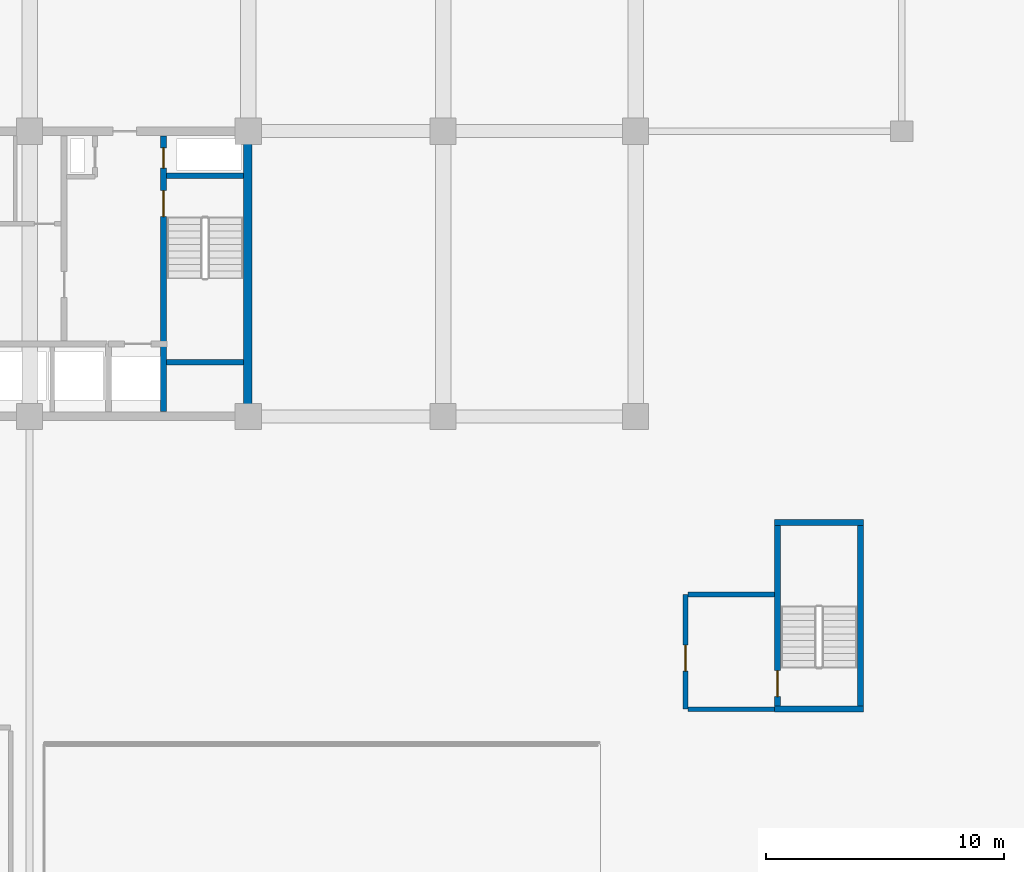
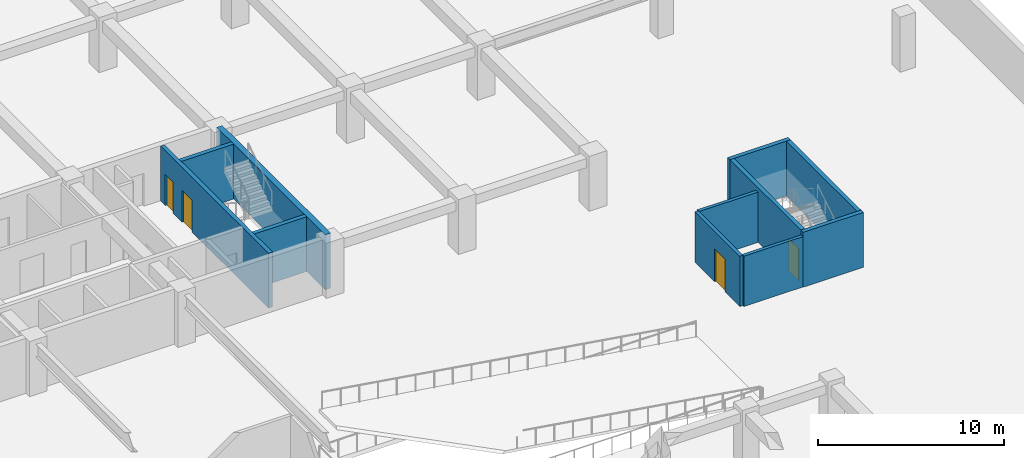
# One storey, part 11 of 22: 11 walls, 4 doors, 4 openings.
"""IFC4 building model written with IfcOpenShell, lengths in metres."""

import ifcopenshell
import ifcopenshell.guid

model = None  # the IFC model being written
_history = None  # IfcOwnerHistory: only IFC2X3 demands one
_inside = {}  # id of a spatial element -> (the spatial element, [elements in it])
_under = {}  # id of a project, library or spatial element -> (it, [spatial elements below it])
_declared = {}  # id of a project -> (the project, [libraries it declares])
_typed = {}  # id of a type object -> (the type object, [elements of that type])
_made_of = {}  # id of a material, layer set ... -> (it, [elements and type objects made of it])


def new_model(schema):
    """Start an empty IFC model of exactly this schema.

    Asked for "IFC4X3", IfcOpenShell would pick the latest addendum, in which some entities
    have other attributes; the version numbers below select the first issue.
    IFC2X3 requires an IfcOwnerHistory on every rooted entity: one is made here for all.
    """
    global model, _history
    if schema == "IFC4X3":
        model = ifcopenshell.file(schema_version=(4, 3, 0, 0))
    else:
        model = ifcopenshell.file(schema=schema)
    _inside.clear()
    _under.clear()
    _declared.clear()
    _typed.clear()
    _made_of.clear()
    _history = None
    if model.schema == "IFC2X3":
        org = make("IfcOrganization", Name="unknown")
        user = make(
            "IfcPersonAndOrganization",
            ThePerson=make("IfcPerson", FamilyName="unknown"),
            TheOrganization=org,
        )
        app = make(
            "IfcApplication",
            ApplicationDeveloper=org,
            Version="unknown",
            ApplicationFullName="unknown",
            ApplicationIdentifier="unknown",
        )
        _history = make(
            "IfcOwnerHistory",
            OwningUser=user,
            OwningApplication=app,
            ChangeAction="ADDED",
            CreationDate=0,
        )
    return model


def make(cls, **values):
    """One entity of the class cls with the attributes given. An attribute that is None is left unset."""
    return model.create_entity(
        cls, **{name: value for name, value in values.items() if value is not None}
    )


def rooted(cls, **values):
    """An entity with a GlobalId (a new one), such as an element, a storey or a relation."""
    return make(cls, GlobalId=ifcopenshell.guid.new(), OwnerHistory=_history, **values)


def si_unit(unit_type, name, prefix=None):
    """IfcSIUnit, for example si_unit("LENGTHUNIT", "METRE", prefix="MILLI")."""
    return make("IfcSIUnit", UnitType=unit_type, Prefix=prefix, Name=name)


def assignment(units):
    """IfcUnitAssignment: the units of a project."""
    return None if units is None else make("IfcUnitAssignment", Units=units)


def point(xyz):
    """IfcCartesianPoint."""
    return None if xyz is None else make("IfcCartesianPoint", Coordinates=xyz)


def direction(xyz):
    """IfcDirection."""
    return None if xyz is None else make("IfcDirection", DirectionRatios=xyz)


def frame(location, z_axis=None, x_axis=None):
    """IfcAxis2Placement3D, a coordinate frame: its origin and axes. An axis left out is left unset."""
    return make(
        "IfcAxis2Placement3D",
        Location=point(location),
        Axis=direction(z_axis),
        RefDirection=direction(x_axis),
    )


def frame_2d(location, x_axis=None):
    """IfcAxis2Placement2D, a coordinate frame in the plane: its origin and x axis."""
    return make(
        "IfcAxis2Placement2D", Location=point(location), RefDirection=direction(x_axis)
    )


def origin():
    """The frame at (0, 0, 0) with its axes left unset."""
    return frame((0.0, 0.0, 0.0))


def place(relative_to, where):
    """IfcLocalPlacement: puts the frame where relative to a parent placement (None: the world)."""
    return make(
        "IfcLocalPlacement", PlacementRelTo=relative_to, RelativePlacement=where
    )


def context(
    kind, dimensions, precision=None, world=None, true_north=None, identifier=None
):
    """IfcGeometricRepresentationContext, for example the 3D "Model" context."""
    return make(
        "IfcGeometricRepresentationContext",
        ContextIdentifier=identifier,
        ContextType=kind,
        CoordinateSpaceDimension=dimensions,
        Precision=precision,
        WorldCoordinateSystem=world,
        TrueNorth=true_north,
    )


def subcontext(parent, identifier, kind, view, scale=None):
    """IfcGeometricRepresentationSubContext, for example "Body" below "Model"."""
    return make(
        "IfcGeometricRepresentationSubContext",
        ContextIdentifier=identifier,
        ContextType=kind,
        ParentContext=parent,
        TargetScale=scale,
        TargetView=view,
    )


def project(units=None, contexts=None):
    """IfcProject with its units and contexts."""
    return rooted(
        "IfcProject",
        Name="project",
        RepresentationContexts=contexts,
        UnitsInContext=assignment(units),
    )


def spatial(cls, under=None, at=None, **own):
    """A site, building, storey or space (cls), placed at a placement, below another one or the project."""
    s = rooted(cls, ObjectPlacement=at, **own)
    if under is not None:
        _under.setdefault(under.id(), (under, []))[1].append(s)
    return s


def profile(cls, at=None, kind="AREA", **sizes):
    """A parametric profile (cls). Its sizes go by their IFC names, for example OverallWidth=200.0."""
    return make(cls, ProfileType=kind, Position=at, **sizes)


def rectangle(**sizes):
    """IfcRectangleProfileDef."""
    return profile("IfcRectangleProfileDef", **sizes)


def extrude(swept, where, along, depth):
    """IfcExtrudedAreaSolid: the profile swept, set in the frame where, extruded along a direction by depth."""
    return make(
        "IfcExtrudedAreaSolid",
        SweptArea=swept,
        Position=where,
        ExtrudedDirection=direction(along),
        Depth=depth,
    )


def shape(context_of_items, identifier, shape_type, items):
    """IfcShapeRepresentation: the items that make up one representation, for example the "Body"."""
    return make(
        "IfcShapeRepresentation",
        ContextOfItems=context_of_items,
        RepresentationIdentifier=identifier,
        RepresentationType=shape_type,
        Items=items,
    )


def material(Name=None, Category=None):
    """IfcMaterial."""
    return make("IfcMaterial", Name=Name, Category=Category)


def layer(
    of_material, thickness, ventilated=None, Name=None, Category=None, Priority=None
):
    """IfcMaterialLayer: one layer of a wall or slab, of a material (None: an air gap)."""
    return make(
        "IfcMaterialLayer",
        Material=of_material,
        LayerThickness=thickness,
        IsVentilated=ventilated,
        Name=Name,
        Category=Category,
        Priority=Priority,
    )


def layer_set(layers, Name=None):
    """IfcMaterialLayerSet."""
    return make("IfcMaterialLayerSet", MaterialLayers=layers, LayerSetName=Name)


def made_of(thing, what):
    """Note that an element or type object is made of a material, layer set ...; save() writes the relation."""
    if what is not None:
        _made_of.setdefault(what.id(), (what, []))[1].append(thing)
    return thing


def type_object(cls, material=None, **own):
    """A type object (cls), such as IfcWallType, which elements share."""
    return made_of(rooted(cls, **own), material)


def element(
    cls,
    number,
    at=None,
    inside=None,
    cuts=None,
    type_object=None,
    material=None,
    context=None,
    identifier="Body",
    shape_type=None,
    held_by="IfcProductDefinitionShape",
    body=None,
    shapes=None,
    **own,
):
    """One element of the class cls, such as IfcWall. Its Tag is "e" and its number.

    at: its placement. inside: the storey or other place that contains it. cuts: it is an
    opening in that element (IfcRelVoidsElement). A single representation is given by context,
    identifier, shape_type and body (its items); several are given by shapes. held_by: the class
    of the entity that holds the representations. save() writes the other relations.
    """
    e = rooted(cls, Tag="e%d" % number, ObjectPlacement=at, **own)
    if body is not None:
        shapes = [shape(context, identifier, shape_type, body)]
    if shapes is not None:
        e.Representation = make(held_by, Representations=shapes)
    if inside is not None:
        _inside.setdefault(inside.id(), (inside, []))[1].append(e)
    if cuts is not None:
        rooted(
            "IfcRelVoidsElement", RelatingBuildingElement=cuts, RelatedOpeningElement=e
        )
    if type_object is not None:
        _typed.setdefault(type_object.id(), (type_object, []))[1].append(e)
    return made_of(e, material)


def fill(opening, filler):
    """IfcRelFillsElement: the door or window that sits in an opening."""
    return rooted(
        "IfcRelFillsElement",
        RelatingOpeningElement=opening,
        RelatedBuildingElement=filler,
    )


def aggregate(whole, parts):
    """IfcRelAggregates: a whole, such as a stair, and the parts it consists of."""
    return rooted("IfcRelAggregates", RelatingObject=whole, RelatedObjects=parts)


def save(model, path):
    """Write the relations noted so far, then the file.

    IfcRelAggregates (storeys below a building ...), IfcRelContainedInSpatialStructure (elements
    in a storey), IfcRelDefinesByType, IfcRelAssociatesMaterial and IfcRelDeclares: one each for
    every whole, place, type object, material and project.
    """
    for whole, parts in _under.values():
        aggregate(whole, parts)
    for where, things in _inside.values():
        rooted(
            "IfcRelContainedInSpatialStructure",
            RelatedElements=things,
            RelatingStructure=where,
        )
    for kind, things in _typed.values():
        rooted("IfcRelDefinesByType", RelatedObjects=things, RelatingType=kind)
    for what, things in _made_of.values():
        rooted("IfcRelAssociatesMaterial", RelatedObjects=things, RelatingMaterial=what)
    for by, libraries in _declared.values():
        rooted("IfcRelDeclares", RelatingContext=by, RelatedDefinitions=libraries)
    model.write(path)


model = new_model("IFC4")

# Units and contexts
model_context = context("Model", 3, precision=1e-05, world=origin(), true_north=direction((0.0, 1.0)))
body_context = subcontext(model_context, "Body", "Model", "MODEL_VIEW")
ifc_project = project(units=[si_unit("LENGTHUNIT", "METRE"), si_unit("AREAUNIT", "SQUARE_METRE"), si_unit("VOLUMEUNIT", "CUBIC_METRE"), si_unit("PLANEANGLEUNIT", "RADIAN"), si_unit("MASSUNIT", "GRAM", prefix="KILO")], contexts=[model_context])

# Site, building, storey
site_placement = place(None, origin())
site = spatial("IfcSite", under=ifc_project, at=site_placement, CompositionType="ELEMENT")
building_placement = place(site_placement, origin())
building = spatial("IfcBuilding", under=site, at=building_placement, Name="Korimba Cascade Residences", CompositionType="ELEMENT")
storey_placement = place(building_placement, frame((0.0, 0.0, -7.199951171875)))
storey = spatial("IfcBuildingStorey", under=building, at=storey_placement, Name="B02", CompositionType="ELEMENT", Elevation=-7.199951171875)

# Wall
ifc_material_1 = material(Name="Concrete C65/80", Category="concrete")
ifc_layer_1 = layer(ifc_material_1, 0.35009765625)
ifc_layer_set_1 = layer_set([ifc_layer_1], Name="Concrete C65/80")
wall_type_1 = type_object("IfcWallType", Name="WAL-CORE-350", PredefinedType="SHEAR", material=ifc_layer_set_1)
wall_1_placement = place(storey_placement, frame((112.074951171875, 55.375, 0.0), z_axis=(0.0, 0.0, 1.0), x_axis=(0.0, 1.0, 0.0)))
element("IfcWall", 1, at=wall_1_placement, inside=storey, type_object=wall_type_1, Name="B02 Core Shear Wall CW-B02-T1-E", PredefinedType="SHEAR", context=body_context, shape_type="SweptSolid", body=[
    extrude(rectangle(XDim=11.64990234375, YDim=0.35009765625, at=frame_2d((5.824951171875, 0.0))), origin(), (0.0, 0.0, 1.0), 3.599853515625),
])

# Wall, opening, door
ifc_material_2 = material(Name="Concrete C40/50", Category="concrete")
ifc_layer_2 = layer(ifc_material_2, 0.199951171875)
ifc_layer_set_2 = layer_set([ifc_layer_2], Name="Concrete C40/50")
wall_type_2 = type_object("IfcWallType", Name="WAL-PART-200", PredefinedType="PARTITIONING", material=ifc_layer_set_2)
wall_2_placement = place(storey_placement, frame((130.5, 42.875, 0.0), z_axis=(0.0, 0.0, 1.0), x_axis=(0.0, 1.0, 0.0)))
wall_2 = element("IfcWall", 2, at=wall_2_placement, inside=storey, type_object=wall_type_2, Name="B02 Partition Wall CW-B02-PLEW", PredefinedType="PARTITIONING", context=body_context, shape_type="SweptSolid", body=[
    extrude(rectangle(XDim=4.824951171875, YDim=0.199951171875, at=frame_2d((2.41259765625, 0.0))), origin(), (0.0, 0.0, 1.0), 3.300048828125),
])
opening_1_placement = place(wall_2_placement, frame((1.60009765625, 0.0, 0.0)))
opening_1 = element("IfcOpeningElement", 3, at=opening_1_placement, cuts=wall_2, Name="Opening D-FD6", PredefinedType="OPENING", context=body_context, shape_type="SweptSolid", body=[
    extrude(rectangle(XDim=1.10009765625, YDim=2.14990234375, at=frame_2d((0.550048828125, 1.074951171875))), frame((0.0, 0.10986328125, 0.0), z_axis=(0.0, -1.0, 0.0), x_axis=(1.0, 0.0, 0.0)), (0.0, 0.0, 1.0), 0.219970703125),
])
ifc_material_3 = material(Name="Fire-Rated Timber Stair Lobby Door", Category="wood")
door_type_1 = type_object("IfcDoorType", Name="DR-FD90-1100", OperationType="NOTDEFINED", PredefinedType="DOOR", material=ifc_material_3)
door_1_placement = place(opening_1_placement, origin())
door_1 = element("IfcDoor", 4, at=door_1_placement, inside=storey, type_object=door_type_1, Name="B02 East Stair Vestibule Door", OperationType="SINGLE_SWING_LEFT", OverallHeight=2.14990234375, OverallWidth=1.10009765625, PredefinedType="DOOR", context=body_context, shape_type="SweptSolid", body=[
    extrude(rectangle(XDim=1.10009765625, YDim=2.14990234375, at=frame_2d((0.550048828125, 1.074951171875))), frame((0.0, 0.02490234375, 0.0), z_axis=(0.0, -1.0, 0.0), x_axis=(1.0, 0.0, 0.0)), (0.0, 0.0, 1.0), 0.050048828125),
])
fill(opening_1, door_1)

# Walls
for number, where, z_axis, x_axis, name in (
    (5, (130.60009765625, 42.875, 0.0), (0.0, 0.0, 1.0), (1.0, 0.0, 0.0), "B02 Partition Wall CW-B02-PLES"),
    (6, (130.60009765625, 47.699951171875, 0.0), (0.0, 0.0, 1.0), (1.0, 0.0, 0.0), "B02 Partition Wall CW-B02-PLEN"),
):
    element("IfcWall", number, at=place(storey_placement, frame(where, z_axis=z_axis, x_axis=x_axis)), inside=storey, type_object=wall_type_2, Name=name, PredefinedType="PARTITIONING", context=body_context, shape_type="SweptSolid", body=[
        extrude(rectangle(XDim=3.64990234375, YDim=0.199951171875, at=frame_2d((1.824951171875, 0.0))), origin(), (0.0, 0.0, 1.0), 3.300048828125),
    ])

# Wall, openings, doors
ifc_material_4 = material(Name="Concrete C50/60", Category="concrete")
ifc_layer_3 = layer(ifc_material_4, 0.25)
ifc_layer_set_3 = layer_set([ifc_layer_3], Name="Concrete C50/60")
wall_type_3 = type_object("IfcWallType", Name="WAL-SHAFT-250", PredefinedType="SHEAR", material=ifc_layer_set_3)
wall_3_placement = place(storey_placement, frame((108.534912109375, 55.39990234375, 0.0), z_axis=(0.0, 0.0, 1.0), x_axis=(0.0, 1.0, 0.0)))
wall_3 = element("IfcWall", 7, at=wall_3_placement, inside=storey, type_object=wall_type_3, Name="B02 Core Shear Wall CW-B02-T1-STW2W", PredefinedType="SHEAR", context=body_context, shape_type="SweptSolid", body=[
    extrude(rectangle(XDim=11.60009765625, YDim=0.25, at=frame_2d((5.800048828125, 0.0))), origin(), (0.0, 0.0, 1.0), 3.599853515625),
])
opening_2_placement = place(wall_3_placement, frame((8.199951171875, 0.0, 0.0)))
opening_2 = element("IfcOpeningElement", 8, at=opening_2_placement, cuts=wall_3, Name="Opening D-FD1", PredefinedType="OPENING", context=body_context, shape_type="SweptSolid", body=[
    extrude(rectangle(XDim=1.10009765625, YDim=2.10009765625, at=frame_2d((0.550048828125, 1.050048828125))), frame((0.0, 0.135009765625, 0.0), z_axis=(0.0, -1.0, 0.0), x_axis=(1.0, 0.0, 0.0)), (0.0, 0.0, 1.0), 0.27001953125),
])
opening_3_placement = place(wall_3_placement, frame((10.25, 0.0, 0.0)))
opening_3 = element("IfcOpeningElement", 9, at=opening_3_placement, cuts=wall_3, Name="Opening D-RS1", PredefinedType="OPENING", context=body_context, shape_type="SweptSolid", body=[
    extrude(rectangle(XDim=0.85009765625, YDim=2.050048828125, at=frame_2d((0.425048828125, 1.02490234375))), frame((0.0, 0.135009765625, 0.0), z_axis=(0.0, -1.0, 0.0), x_axis=(1.0, 0.0, 0.0)), (0.0, 0.0, 1.0), 0.27001953125),
])
ifc_material_5 = material(Name="Fire-Rated Steel Core Door", Category="steel")
door_type_2 = type_object("IfcDoorType", Name="DR-FD120-1100", OperationType="NOTDEFINED", PredefinedType="DOOR", material=ifc_material_5)
door_2_placement = place(opening_2_placement, origin())
door_2 = element("IfcDoor", 10, at=door_2_placement, inside=storey, type_object=door_type_2, Name="B02 Fire Stair ST-W2 Door", OperationType="SINGLE_SWING_RIGHT", OverallHeight=2.10009765625, OverallWidth=1.10009765625, PredefinedType="DOOR", context=body_context, shape_type="SweptSolid", body=[
    extrude(rectangle(XDim=1.10009765625, YDim=2.10009765625, at=frame_2d((0.550048828125, 1.050048828125))), frame((0.0, 0.02490234375, 0.0), z_axis=(0.0, -1.0, 0.0), x_axis=(1.0, 0.0, 0.0)), (0.0, 0.0, 1.0), 0.050048828125),
])
fill(opening_2, door_2)
ifc_material_6 = material(Name="Fire-Rated Steel Riser Access Door", Category="steel")
door_type_3 = type_object("IfcDoorType", Name="DR-FD60-850", OperationType="NOTDEFINED", PredefinedType="DOOR", material=ifc_material_6)
door_3_placement = place(opening_3_placement, origin())
door_3 = element("IfcDoor", 11, at=door_3_placement, inside=storey, type_object=door_type_3, Name="B02 East Riser Door", OperationType="SINGLE_SWING_LEFT", OverallHeight=2.050048828125, OverallWidth=0.85009765625, PredefinedType="DOOR", context=body_context, shape_type="SweptSolid", body=[
    extrude(rectangle(XDim=0.85009765625, YDim=2.050048828125, at=frame_2d((0.425048828125, 1.02490234375))), frame((0.0, 0.02490234375, 0.0), z_axis=(0.0, -1.0, 0.0), x_axis=(1.0, 0.0, 0.0)), (0.0, 0.0, 1.0), 0.050048828125),
])
fill(opening_3, door_3)

# Walls
for number, where, z_axis, x_axis, name in (
    (12, (108.659912109375, 57.47509765625, 0.0), (0.0, 0.0, 1.0), (1.0, 0.0, 0.0), "B02 Core Shear Wall CW-B02-T1-STW2S"),
    (13, (108.659912109375, 65.324951171875, 0.0), (0.0, 0.0, 1.0), (1.0, 0.0, 0.0), "B02 Core Shear Wall CW-B02-T1-STW2N"),
):
    element("IfcWall", number, at=place(storey_placement, frame(where, z_axis=z_axis, x_axis=x_axis)), inside=storey, type_object=wall_type_3, Name=name, PredefinedType="SHEAR", context=body_context, shape_type="SweptSolid", body=[
        extrude(rectangle(XDim=3.239990234375, YDim=0.25, at=frame_2d((1.6201171875, 0.0))), origin(), (0.0, 0.0, 1.0), 3.599853515625),
    ])

# Wall, opening, door
wall_4_placement = place(storey_placement, frame((134.375, 43.0, 0.0), z_axis=(0.0, 0.0, 1.0), x_axis=(0.0, 1.0, 0.0)))
wall_4 = element("IfcWall", 14, at=wall_4_placement, inside=storey, type_object=wall_type_3, Name="B02 Core Shear Wall CW-B02-STP2W", PredefinedType="SHEAR", context=body_context, shape_type="SweptSolid", body=[
    extrude(rectangle(XDim=7.60009765625, YDim=0.25, at=frame_2d((3.800048828125, 0.0))), origin(), (0.0, 0.0, 1.0), 3.599853515625),
])
opening_4_placement = place(wall_4_placement, frame((0.39990234375, 0.0, 0.0)))
opening_4 = element("IfcOpeningElement", 15, at=opening_4_placement, cuts=wall_4, Name="Opening D-FD1", PredefinedType="OPENING", context=body_context, shape_type="SweptSolid", body=[
    extrude(rectangle(XDim=1.10009765625, YDim=2.10009765625, at=frame_2d((0.550048828125, 1.050048828125))), frame((0.0, 0.135009765625, 0.0), z_axis=(0.0, -1.0, 0.0), x_axis=(1.0, 0.0, 0.0)), (0.0, 0.0, 1.0), 0.27001953125),
])
door_4_placement = place(opening_4_placement, origin())
door_4 = element("IfcDoor", 16, at=door_4_placement, inside=storey, type_object=door_type_2, Name="B02 Podium Stair ST-P2 Door", OperationType="SINGLE_SWING_RIGHT", OverallHeight=2.10009765625, OverallWidth=1.10009765625, PredefinedType="DOOR", context=body_context, shape_type="SweptSolid", body=[
    extrude(rectangle(XDim=1.10009765625, YDim=2.10009765625, at=frame_2d((0.550048828125, 1.050048828125))), frame((0.0, 0.02490234375, 0.0), z_axis=(0.0, -1.0, 0.0), x_axis=(1.0, 0.0, 0.0)), (0.0, 0.0, 1.0), 0.050048828125),
])
fill(opening_4, door_4)

# Walls
wall_5_placement = place(storey_placement, frame((137.864990234375, 43.0, 0.0), z_axis=(0.0, 0.0, 1.0), x_axis=(0.0, 1.0, 0.0)))
element("IfcWall", 17, at=wall_5_placement, inside=storey, type_object=wall_type_3, Name="B02 Core Shear Wall CW-B02-STP2E", PredefinedType="SHEAR", context=body_context, shape_type="SweptSolid", body=[
    extrude(rectangle(XDim=7.60009765625, YDim=0.25, at=frame_2d((3.800048828125, 0.0))), origin(), (0.0, 0.0, 1.0), 3.599853515625),
])
for number, where, z_axis, x_axis, name in (
    (18, (134.25, 42.875, 0.0), (0.0, 0.0, 1.0), (1.0, 0.0, 0.0), "B02 Core Shear Wall CW-B02-STP2S"),
    (19, (134.25, 50.72509765625, 0.0), (0.0, 0.0, 1.0), (1.0, 0.0, 0.0), "B02 Core Shear Wall CW-B02-STP2N"),
):
    element("IfcWall", number, at=place(storey_placement, frame(where, z_axis=z_axis, x_axis=x_axis)), inside=storey, type_object=wall_type_3, Name=name, PredefinedType="SHEAR", context=body_context, shape_type="SweptSolid", body=[
        extrude(rectangle(XDim=3.739990234375, YDim=0.25, at=frame_2d((1.8701171875, 0.0))), origin(), (0.0, 0.0, 1.0), 3.599853515625),
    ])

save(model, "model.ifc")
